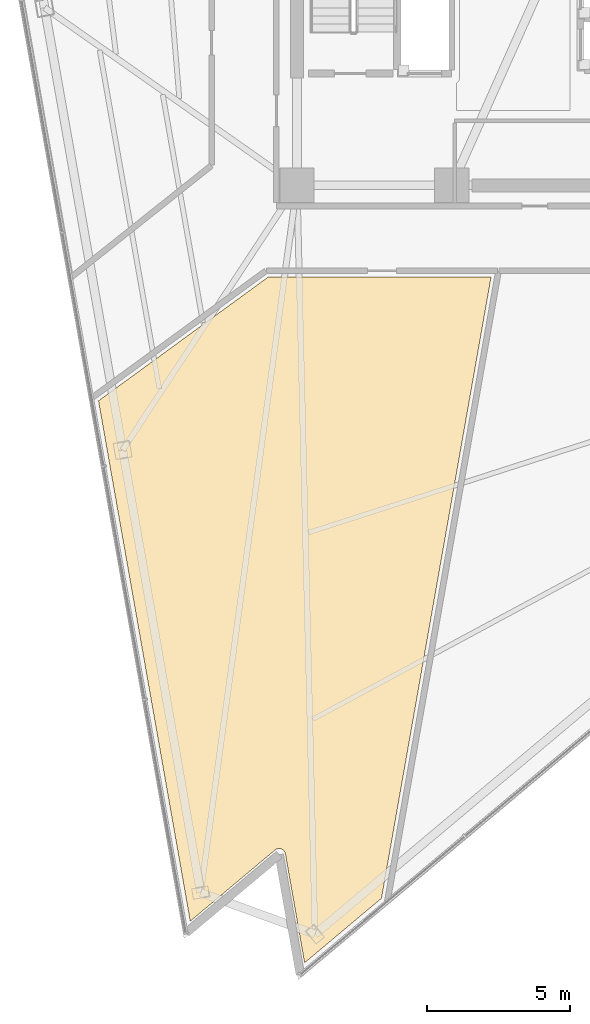
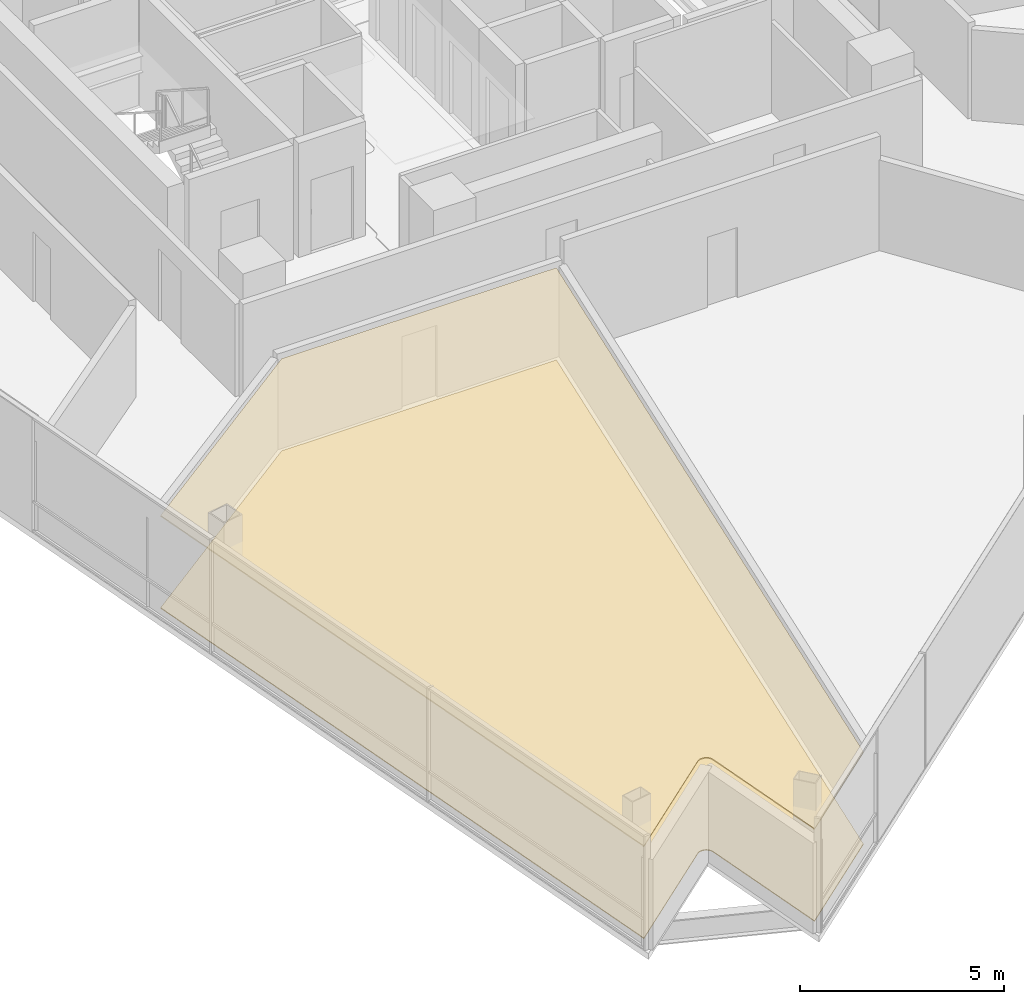
# One storey, part 13 of 16: 2 coverings.
"""IFC4 building model written with IfcOpenShell, lengths in metres."""

import ifcopenshell
import ifcopenshell.guid

model = None  # the IFC model being written
_history = None  # IfcOwnerHistory: only IFC2X3 demands one
_inside = {}  # id of a spatial element -> (the spatial element, [elements in it])
_under = {}  # id of a project, library or spatial element -> (it, [spatial elements below it])
_declared = {}  # id of a project -> (the project, [libraries it declares])
_typed = {}  # id of a type object -> (the type object, [elements of that type])
_made_of = {}  # id of a material, layer set ... -> (it, [elements and type objects made of it])


def new_model(schema):
    """Start an empty IFC model of exactly this schema.

    Asked for "IFC4X3", IfcOpenShell would pick the latest addendum, in which some entities
    have other attributes; the version numbers below select the first issue.
    IFC2X3 requires an IfcOwnerHistory on every rooted entity: one is made here for all.
    """
    global model, _history
    if schema == "IFC4X3":
        model = ifcopenshell.file(schema_version=(4, 3, 0, 0))
    else:
        model = ifcopenshell.file(schema=schema)
    _inside.clear()
    _under.clear()
    _declared.clear()
    _typed.clear()
    _made_of.clear()
    _history = None
    if model.schema == "IFC2X3":
        org = make("IfcOrganization", Name="unknown")
        user = make(
            "IfcPersonAndOrganization",
            ThePerson=make("IfcPerson", FamilyName="unknown"),
            TheOrganization=org,
        )
        app = make(
            "IfcApplication",
            ApplicationDeveloper=org,
            Version="unknown",
            ApplicationFullName="unknown",
            ApplicationIdentifier="unknown",
        )
        _history = make(
            "IfcOwnerHistory",
            OwningUser=user,
            OwningApplication=app,
            ChangeAction="ADDED",
            CreationDate=0,
        )
    return model


def make(cls, **values):
    """One entity of the class cls with the attributes given. An attribute that is None is left unset."""
    return model.create_entity(
        cls, **{name: value for name, value in values.items() if value is not None}
    )


def rooted(cls, **values):
    """An entity with a GlobalId (a new one), such as an element, a storey or a relation."""
    return make(cls, GlobalId=ifcopenshell.guid.new(), OwnerHistory=_history, **values)


def si_unit(unit_type, name, prefix=None):
    """IfcSIUnit, for example si_unit("LENGTHUNIT", "METRE", prefix="MILLI")."""
    return make("IfcSIUnit", UnitType=unit_type, Prefix=prefix, Name=name)


def assignment(units):
    """IfcUnitAssignment: the units of a project."""
    return None if units is None else make("IfcUnitAssignment", Units=units)


def point(xyz):
    """IfcCartesianPoint."""
    return None if xyz is None else make("IfcCartesianPoint", Coordinates=xyz)


def direction(xyz):
    """IfcDirection."""
    return None if xyz is None else make("IfcDirection", DirectionRatios=xyz)


def frame(location, z_axis=None, x_axis=None):
    """IfcAxis2Placement3D, a coordinate frame: its origin and axes. An axis left out is left unset."""
    return make(
        "IfcAxis2Placement3D",
        Location=point(location),
        Axis=direction(z_axis),
        RefDirection=direction(x_axis),
    )


def origin():
    """The frame at (0, 0, 0) with its axes left unset."""
    return frame((0.0, 0.0, 0.0))


def place(relative_to, where):
    """IfcLocalPlacement: puts the frame where relative to a parent placement (None: the world)."""
    return make(
        "IfcLocalPlacement", PlacementRelTo=relative_to, RelativePlacement=where
    )


def context(
    kind, dimensions, precision=None, world=None, true_north=None, identifier=None
):
    """IfcGeometricRepresentationContext, for example the 3D "Model" context."""
    return make(
        "IfcGeometricRepresentationContext",
        ContextIdentifier=identifier,
        ContextType=kind,
        CoordinateSpaceDimension=dimensions,
        Precision=precision,
        WorldCoordinateSystem=world,
        TrueNorth=true_north,
    )


def subcontext(parent, identifier, kind, view, scale=None):
    """IfcGeometricRepresentationSubContext, for example "Body" below "Model"."""
    return make(
        "IfcGeometricRepresentationSubContext",
        ContextIdentifier=identifier,
        ContextType=kind,
        ParentContext=parent,
        TargetScale=scale,
        TargetView=view,
    )


def project(units=None, contexts=None):
    """IfcProject with its units and contexts."""
    return rooted(
        "IfcProject",
        Name="project",
        RepresentationContexts=contexts,
        UnitsInContext=assignment(units),
    )


def spatial(cls, under=None, at=None, **own):
    """A site, building, storey or space (cls), placed at a placement, below another one or the project."""
    s = rooted(cls, ObjectPlacement=at, **own)
    if under is not None:
        _under.setdefault(under.id(), (under, []))[1].append(s)
    return s


def polyline(points):
    """IfcPolyline through the points."""
    return make("IfcPolyline", Points=[point(p) for p in points])


def outline(outer, holes=None, kind="AREA"):
    """IfcArbitraryClosedProfileDef: a profile drawn as a closed curve; with holes, ...WithVoids."""
    if holes is None:
        return make("IfcArbitraryClosedProfileDef", ProfileType=kind, OuterCurve=outer)
    return make(
        "IfcArbitraryProfileDefWithVoids",
        ProfileType=kind,
        OuterCurve=outer,
        InnerCurves=holes,
    )


def extrude(swept, where, along, depth):
    """IfcExtrudedAreaSolid: the profile swept, set in the frame where, extruded along a direction by depth."""
    return make(
        "IfcExtrudedAreaSolid",
        SweptArea=swept,
        Position=where,
        ExtrudedDirection=direction(along),
        Depth=depth,
    )


def shape(context_of_items, identifier, shape_type, items):
    """IfcShapeRepresentation: the items that make up one representation, for example the "Body"."""
    return make(
        "IfcShapeRepresentation",
        ContextOfItems=context_of_items,
        RepresentationIdentifier=identifier,
        RepresentationType=shape_type,
        Items=items,
    )


def material(Name=None, Category=None):
    """IfcMaterial."""
    return make("IfcMaterial", Name=Name, Category=Category)


def layer(
    of_material, thickness, ventilated=None, Name=None, Category=None, Priority=None
):
    """IfcMaterialLayer: one layer of a wall or slab, of a material (None: an air gap)."""
    return make(
        "IfcMaterialLayer",
        Material=of_material,
        LayerThickness=thickness,
        IsVentilated=ventilated,
        Name=Name,
        Category=Category,
        Priority=Priority,
    )


def layer_set(layers, Name=None):
    """IfcMaterialLayerSet."""
    return make("IfcMaterialLayerSet", MaterialLayers=layers, LayerSetName=Name)


def made_of(thing, what):
    """Note that an element or type object is made of a material, layer set ...; save() writes the relation."""
    if what is not None:
        _made_of.setdefault(what.id(), (what, []))[1].append(thing)
    return thing


def type_object(cls, material=None, **own):
    """A type object (cls), such as IfcWallType, which elements share."""
    return made_of(rooted(cls, **own), material)


def element(
    cls,
    number,
    at=None,
    inside=None,
    cuts=None,
    type_object=None,
    material=None,
    context=None,
    identifier="Body",
    shape_type=None,
    held_by="IfcProductDefinitionShape",
    body=None,
    shapes=None,
    **own,
):
    """One element of the class cls, such as IfcWall. Its Tag is "e" and its number.

    at: its placement. inside: the storey or other place that contains it. cuts: it is an
    opening in that element (IfcRelVoidsElement). A single representation is given by context,
    identifier, shape_type and body (its items); several are given by shapes. held_by: the class
    of the entity that holds the representations. save() writes the other relations.
    """
    e = rooted(cls, Tag="e%d" % number, ObjectPlacement=at, **own)
    if body is not None:
        shapes = [shape(context, identifier, shape_type, body)]
    if shapes is not None:
        e.Representation = make(held_by, Representations=shapes)
    if inside is not None:
        _inside.setdefault(inside.id(), (inside, []))[1].append(e)
    if cuts is not None:
        rooted(
            "IfcRelVoidsElement", RelatingBuildingElement=cuts, RelatedOpeningElement=e
        )
    if type_object is not None:
        _typed.setdefault(type_object.id(), (type_object, []))[1].append(e)
    return made_of(e, material)


def aggregate(whole, parts):
    """IfcRelAggregates: a whole, such as a stair, and the parts it consists of."""
    return rooted("IfcRelAggregates", RelatingObject=whole, RelatedObjects=parts)


def save(model, path):
    """Write the relations noted so far, then the file.

    IfcRelAggregates (storeys below a building ...), IfcRelContainedInSpatialStructure (elements
    in a storey), IfcRelDefinesByType, IfcRelAssociatesMaterial and IfcRelDeclares: one each for
    every whole, place, type object, material and project.
    """
    for whole, parts in _under.values():
        aggregate(whole, parts)
    for where, things in _inside.values():
        rooted(
            "IfcRelContainedInSpatialStructure",
            RelatedElements=things,
            RelatingStructure=where,
        )
    for kind, things in _typed.values():
        rooted("IfcRelDefinesByType", RelatedObjects=things, RelatingType=kind)
    for what, things in _made_of.values():
        rooted("IfcRelAssociatesMaterial", RelatedObjects=things, RelatingMaterial=what)
    for by, libraries in _declared.values():
        rooted("IfcRelDeclares", RelatingContext=by, RelatedDefinitions=libraries)
    model.write(path)


model = new_model("IFC4")

# Units and contexts
model_context = context("Model", 3, precision=1e-05, world=origin(), true_north=direction((0.0, 1.0)))
body_context = subcontext(model_context, "Body", "Model", "MODEL_VIEW")
ifc_project = project(units=[si_unit("LENGTHUNIT", "METRE"), si_unit("AREAUNIT", "SQUARE_METRE"), si_unit("VOLUMEUNIT", "CUBIC_METRE"), si_unit("PLANEANGLEUNIT", "RADIAN"), si_unit("MASSUNIT", "GRAM", prefix="KILO")], contexts=[model_context])

# Site, building, storey
site_placement = place(None, origin())
site = spatial("IfcSite", under=ifc_project, at=site_placement, CompositionType="ELEMENT")
building_placement = place(site_placement, origin())
building = spatial("IfcBuilding", under=site, at=building_placement, Name="Tharavind Bronze Gate", CompositionType="ELEMENT")
storey_placement = place(building_placement, frame((0.0, 0.0, 170.5)))
storey = spatial("IfcBuildingStorey", under=building, at=storey_placement, Name="L43", CompositionType="ELEMENT", Elevation=170.5)

# Coverings
ifc_material_1 = material(Name="Engineered Oak & Carpet Tile", Category="wood")
ifc_layer_1 = layer(ifc_material_1, 0.02490234375)
ifc_layer_set_1 = layer_set([ifc_layer_1], Name="Engineered Oak & Carpet Tile")
covering_type_1 = type_object("IfcCoveringType", Name="ENGINEERED TIMBER FLOORING", PredefinedType="FLOORING", material=ifc_layer_set_1)
covering_1_placement = place(storey_placement, origin())
element("IfcCovering", 1, at=covering_1_placement, inside=storey, type_object=covering_type_1, Name="L43-RM-05 floor finish", PredefinedType="FLOORING", context=body_context, shape_type="SweptSolid", body=[
    extrude(outline(polyline([(-12.626220703125, -33.2802734375), (-9.66455078125, -30.795166015625), (-9.656005859375, -30.7880859375), (-9.655517578125, -30.787841796875), (-9.63720703125, -30.775390625), (-9.6181640625, -30.764892578125), (-9.597900390625, -30.756591796875), (-9.576904296875, -30.75), (-9.555419921875, -30.74560546875), (-9.53369140625, -30.743408203125), (-9.51171875, -30.743408203125), (-9.48974609375, -30.74560546875), (-9.46826171875, -30.75), (-9.447509765625, -30.756591796875), (-9.42724609375, -30.764892578125), (-9.407958984375, -30.775390625), (-9.389892578125, -30.787841796875), (-9.373046875, -30.802001953125), (-9.357666015625, -30.817626953125), (-9.343994140625, -30.834716796875), (-9.33203125, -30.853271484375), (-9.322021484375, -30.872802734375), (-9.314208984375, -30.893310546875), (-9.30810546875, -30.914306640625), (-9.30810546875, -30.914794921875), (-9.305908203125, -30.925537109375), (-8.634521484375, -34.733154296875), (-5.95068359375, -32.481201171875), (-2.127685546875, -10.800048828125), (-9.906494140625, -10.800048828125), (-15.828369140625, -15.12060546875), (-12.626220703125, -33.2802734375)])), origin(), (0.0, 0.0, 1.0), 0.02490234375),
])
ifc_material_2 = material(Name="Acoustic Gypsum Board", Category="gypsum")
ifc_layer_2 = layer(ifc_material_2, 0.030029296875)
ifc_layer_set_2 = layer_set([ifc_layer_2], Name="Acoustic Gypsum Board")
covering_type_2 = type_object("IfcCoveringType", Name="GYPSUM SUSPENDED CEILING", PredefinedType="CEILING", material=ifc_layer_set_2)
covering_2_placement = place(storey_placement, frame((0.0, 0.0, 2.75)))
element("IfcCovering", 2, at=covering_2_placement, inside=storey, type_object=covering_type_2, Name="L43-RM-05 suspended ceiling", PredefinedType="CEILING", context=body_context, shape_type="SweptSolid", body=[
    extrude(outline(polyline([(-12.626220703125, -33.2802734375), (-9.66455078125, -30.795166015625), (-9.656005859375, -30.7880859375), (-9.655517578125, -30.787841796875), (-9.63720703125, -30.775390625), (-9.6181640625, -30.764892578125), (-9.597900390625, -30.756591796875), (-9.576904296875, -30.75), (-9.555419921875, -30.74560546875), (-9.53369140625, -30.743408203125), (-9.51171875, -30.743408203125), (-9.48974609375, -30.74560546875), (-9.46826171875, -30.75), (-9.447509765625, -30.756591796875), (-9.42724609375, -30.764892578125), (-9.407958984375, -30.775390625), (-9.389892578125, -30.787841796875), (-9.373046875, -30.802001953125), (-9.357666015625, -30.817626953125), (-9.343994140625, -30.834716796875), (-9.33203125, -30.853271484375), (-9.322021484375, -30.872802734375), (-9.314208984375, -30.893310546875), (-9.30810546875, -30.914306640625), (-9.30810546875, -30.914794921875), (-9.305908203125, -30.925537109375), (-8.634521484375, -34.733154296875), (-5.95068359375, -32.481201171875), (-2.127685546875, -10.800048828125), (-9.906494140625, -10.800048828125), (-15.828369140625, -15.12060546875), (-12.626220703125, -33.2802734375)])), origin(), (0.0, 0.0, 1.0), 0.034912109375),
])

save(model, "model.ifc")
